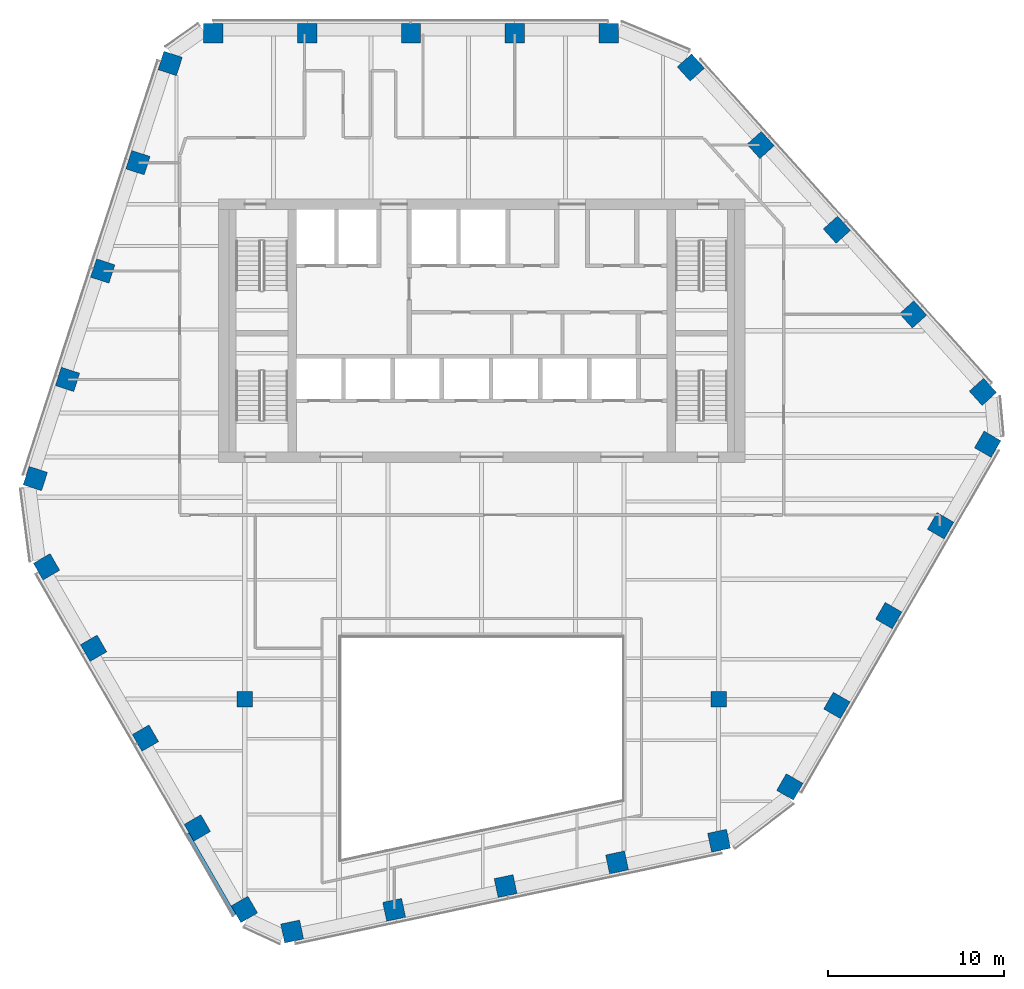
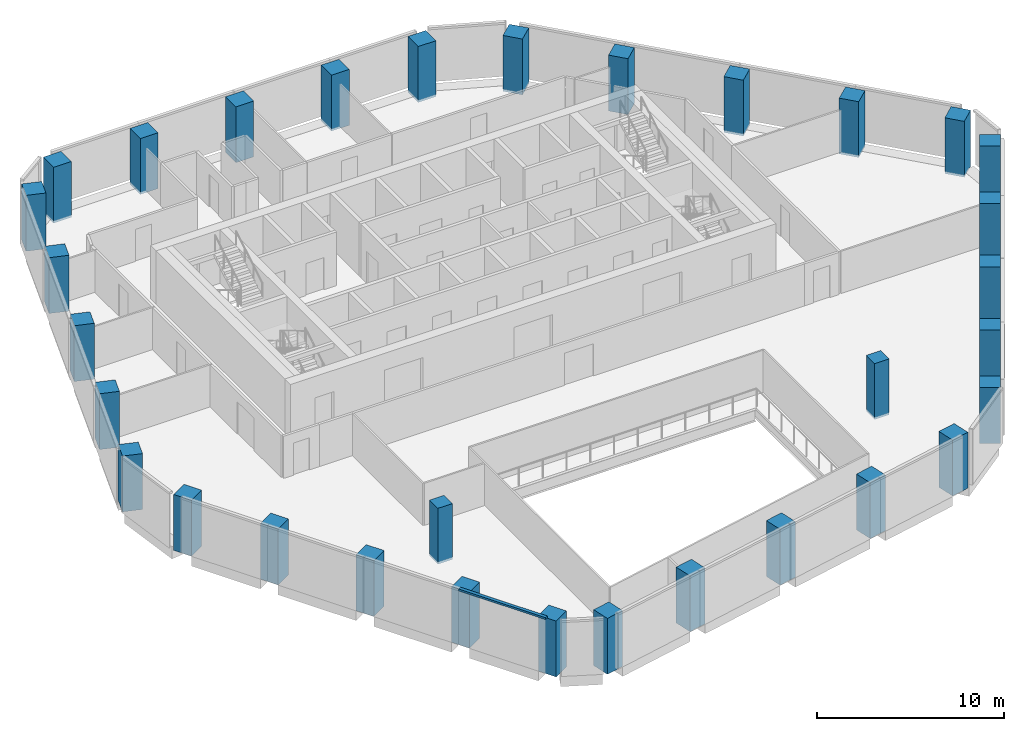
# One storey, part 1 of 15: 32 columns, 1 member, 1 element without a shape of its own.
"""IFC4 building model written with IfcOpenShell, lengths in metres."""

from ifc_helpers import new_model, si_unit, direction, frame, origin, origin_2d, place, context, subcontext, project, spatial, rectangle, extrude, material, layer, layer_set, material_profile, profile_set, type_object, element, aggregate, save


model = new_model("IFC4")

# Units and contexts
model_context = context("Model", 3, precision=1e-05, world=origin(), true_north=direction((0.0, 1.0)))
body_context = subcontext(model_context, "Body", "Model", "MODEL_VIEW")
ifc_project = project(units=[si_unit("LENGTHUNIT", "METRE"), si_unit("AREAUNIT", "SQUARE_METRE"), si_unit("VOLUMEUNIT", "CUBIC_METRE"), si_unit("PLANEANGLEUNIT", "RADIAN"), si_unit("MASSUNIT", "GRAM", prefix="KILO")], contexts=[model_context])

# Site, building, storey
site_placement = place(None, origin())
site = spatial("IfcSite", under=ifc_project, at=site_placement, CompositionType="ELEMENT")
building_placement = place(site_placement, origin())
building = spatial("IfcBuilding", under=site, at=building_placement, Name="Isthmus Gate Tower", CompositionType="ELEMENT")
storey_placement = place(building_placement, frame((0.0, 0.0, 227.25)))
storey = spatial("IfcBuildingStorey", under=building, at=storey_placement, Name="L57", CompositionType="ELEMENT", Elevation=227.25)

# Columns
ifc_material_1 = material(Name="Concrete f'c 50 MPa", Category="concrete")
ifc_material_profile_1 = material_profile(ifc_material_1, rectangle(XDim=0.89990234375, YDim=0.89990234375, at=origin_2d()), Name="RC 900X900")
ifc_profile_set_1 = profile_set([ifc_material_profile_1], Name="Concrete f'c 50 MPa")
column_type_1 = type_object("IfcColumnType", Name="RC INTERIOR COLUMN 900 X 900", PredefinedType="COLUMN", material=ifc_profile_set_1)
for number, where, z_axis, x_axis, name in (
    (1, (-13.5, -13.5, -0.14990234375), (0.0, 0.0, 1.0), (1.0, 0.0, 0.0), "str-icol-L57-ICB2"),
    (2, (13.5, -13.5, -0.14990234375), (0.0, 0.0, 1.0), (1.0, 0.0, 0.0), "str-icol-L57-ICD2"),
):
    element("IfcColumn", number, at=place(storey_placement, frame(where, z_axis=z_axis, x_axis=x_axis)), inside=storey, type_object=column_type_1, Name=name, PredefinedType="COLUMN", context=body_context, shape_type="SweptSolid", body=[
        extrude(rectangle(XDim=0.89990234375, YDim=0.89990234375, at=origin_2d()), origin(), (0.0, 0.0, 1.0), 3.64990234375),
    ])
ifc_material_2 = material(Name="Concrete f'c 50 MPa", Category="concrete")
ifc_material_profile_2 = material_profile(ifc_material_2, rectangle(XDim=1.10009765625, YDim=1.10009765625, at=origin_2d()), Name="RC 1100X1100")
ifc_profile_set_2 = profile_set([ifc_material_profile_2], Name="Concrete f'c 50 MPa")
column_type_2 = type_object("IfcColumnType", Name="RC TUBE COLUMN 1100 X 1100", PredefinedType="COLUMN", material=ifc_profile_set_2)
for number, where, z_axis, x_axis, name in (
    (3, (7.2412109375, 24.449951171875, -0.14990234375), (0.0, 0.0, 1.0), (-1.0, 0.0, 0.0), "str-tcol-L57-T3N0"),
    (4, (1.880615234375, 24.449951171875, -0.14990234375), (0.0, 0.0, 1.0), (-1.0, 0.0, 0.0), "str-tcol-L57-T3N1"),
    (5, (-4.030029296875, 24.449951171875, -0.14990234375), (0.0, 0.0, 1.0), (-1.0, 0.0, 0.0), "str-tcol-L57-T3N2"),
    (6, (-9.940673828125, 24.449951171875, -0.14990234375), (0.0, 0.0, 1.0), (-1.0, 0.0, 0.0), "str-tcol-L57-T3N3"),
    (7, (-15.30126953125, 24.449951171875, -0.14990234375), (0.0, 0.0, 1.0), (-1.0, 0.0, 0.0), "str-tcol-L57-T3N4"),
    (8, (-17.7509765625, 22.721923828125, -0.14990234375), (0.0, 0.0, 1.0), (-0.309016994375, -0.951056516295, 0.0), "str-tcol-L57-T3NW0"),
    (9, (-19.587158203125, 17.07080078125, -0.14990234375), (0.0, 0.0, 1.0), (-0.309016994375, -0.951056516295, 0.0), "str-tcol-L57-T3NW1"),
    (10, (-21.59326171875, 10.896728515625, -0.14990234375), (0.0, 0.0, 1.0), (-0.309016994375, -0.951056516295, 0.0), "str-tcol-L57-T3NW2"),
    (11, (-23.599365234375, 4.72265625, -0.14990234375), (0.0, 0.0, 1.0), (-0.309016994375, -0.951056516295, 0.0), "str-tcol-L57-T3NW3"),
    (12, (-25.435546875, -0.928466796875, -0.14990234375), (0.0, 0.0, 1.0), (-0.309016994375, -0.951056516295, 0.0), "str-tcol-L57-T3NW4"),
    (13, (-24.794921875, -5.9541015625, -0.14990234375), (0.0, 0.0, 1.0), (0.5, -0.866025403784, 0.0), "str-tcol-L57-T3SW0"),
    (14, (-22.114501953125, -10.596435546875, -0.14990234375), (0.0, 0.0, 1.0), (0.5, -0.866025403784, 0.0), "str-tcol-L57-T3SW1"),
    (15, (-19.1591796875, -15.715087890625, -0.14990234375), (0.0, 0.0, 1.0), (0.5, -0.866025403784, 0.0), "str-tcol-L57-T3SW2"),
    (16, (-16.2041015625, -20.833984375, -0.14990234375), (0.0, 0.0, 1.0), (0.5, -0.866025403784, 0.0), "str-tcol-L57-T3SW3"),
    (17, (-13.523681640625, -25.476318359375, -0.14990234375), (0.0, 0.0, 1.0), (0.5, -0.866025403784, 0.0), "str-tcol-L57-T3SW4"),
    (18, (-10.80224609375, -26.73388671875, -0.14990234375), (0.0, 0.0, 1.0), (0.978147600734, 0.207911690818, 0.0), "str-tcol-L57-T3S0"),
    (19, (-4.990234375, -25.498291015625, -0.14990234375), (0.0, 0.0, 1.0), (0.978147600734, 0.207911690818, 0.0), "str-tcol-L57-T3S1"),
    (20, (1.35986328125, -24.148681640625, -0.14990234375), (0.0, 0.0, 1.0), (0.978147600734, 0.207911690818, 0.0), "str-tcol-L57-T3S2"),
    (21, (7.7099609375, -22.798828125, -0.14990234375), (0.0, 0.0, 1.0), (0.978147600734, 0.207911690818, 0.0), "str-tcol-L57-T3S3"),
    (22, (13.52197265625, -21.5634765625, -0.14990234375), (0.0, 0.0, 1.0), (0.978147600734, 0.207911690818, 0.0), "str-tcol-L57-T3S4"),
    (23, (17.5537109375, -18.495849609375, -0.14990234375), (0.0, 0.0, 1.0), (0.5, 0.866025403784, 0.0), "str-tcol-L57-T3SE0"),
    (24, (20.234130859375, -13.853515625, -0.14990234375), (0.0, 0.0, 1.0), (0.5, 0.866025403784, 0.0), "str-tcol-L57-T3SE1"),
    (25, (23.189453125, -8.73486328125, -0.14990234375), (0.0, 0.0, 1.0), (0.5, 0.866025403784, 0.0), "str-tcol-L57-T3SE2"),
    (26, (26.144775390625, -3.6162109375, -0.14990234375), (0.0, 0.0, 1.0), (0.5, 0.866025403784, 0.0), "str-tcol-L57-T3SE3"),
    (27, (28.824951171875, 1.0263671875, -0.14990234375), (0.0, 0.0, 1.0), (0.5, 0.866025403784, 0.0), "str-tcol-L57-T3SE4"),
    (28, (28.55322265625, 4.011962890625, -0.14990234375), (0.0, 0.0, 1.0), (-0.669130606359, 0.743144825477, 0.0), "str-tcol-L57-T3NE0"),
    (29, (24.577392578125, 8.427490234375, -0.14990234375), (0.0, 0.0, 1.0), (-0.669130606359, 0.743144825477, 0.0), "str-tcol-L57-T3NE1"),
    (30, (20.2333984375, 13.251953125, -0.14990234375), (0.0, 0.0, 1.0), (-0.669130606359, 0.743144825477, 0.0), "str-tcol-L57-T3NE2"),
    (31, (15.8896484375, 18.076416015625, -0.14990234375), (0.0, 0.0, 1.0), (-0.669130606359, 0.743144825477, 0.0), "str-tcol-L57-T3NE3"),
    (32, (11.91357421875, 22.4921875, -0.14990234375), (0.0, 0.0, 1.0), (-0.669130606359, 0.743144825477, 0.0), "str-tcol-L57-T3NE4"),
):
    element("IfcColumn", number, at=place(storey_placement, frame(where, z_axis=z_axis, x_axis=x_axis)), inside=storey, type_object=column_type_2, Name=name, PredefinedType="COLUMN", context=body_context, shape_type="SweptSolid", body=[
        extrude(rectangle(XDim=1.10009765625, YDim=1.10009765625, at=origin_2d()), origin(), (0.0, 0.0, 1.0), 3.64990234375),
    ])

# Curtain wall, member
ifc_material_3 = material(Name="Aluminium, pale champagne anodised", Category="aluminium")
ifc_layer = layer(ifc_material_3, 0.199951171875)
ifc_layer_set = layer_set([ifc_layer], Name="CW-1 UNITISED CURTAIN WALL 200 DEEP")
curtain_wall_type = type_object("IfcCurtainWallType", Name="CW-1 UNITISED CURTAIN WALL 200 DEEP", PredefinedType="NOTDEFINED", material=ifc_layer_set)
curtain_wall_placement = place(storey_placement, origin())
curtain_wall = element("IfcCurtainWall", 33, at=curtain_wall_placement, inside=storey, type_object=curtain_wall_type, Name="CW-1 SW L57", PredefinedType="NOTDEFINED")
ifc_material_4 = material(Name="Aluminium, pale champagne anodised", Category="aluminium")
ifc_material_profile_3 = material_profile(ifc_material_4, rectangle(XDim=0.199951171875, YDim=0.1298828125, at=origin_2d()), Name="200x130")
ifc_profile_set_3 = profile_set([ifc_material_profile_3], Name="Aluminium, pale champagne anodised")
member_type = type_object("IfcMemberType", Name="CW-1 TRANSOM 200 X 130", PredefinedType="USERDEFINED", material=ifc_profile_set_3)
member_placement = place(storey_placement, frame((-16.766845703125, -21.158935546875, 3.5849609375), z_axis=(0.499989227444, -0.866031623233, 0.0), x_axis=(0.866031623233, 0.499989227444, 0.0)))
member = element("IfcMember", 34, at=member_placement, type_object=member_type, Name="CW-1 transom", ObjectType="TRANSOM", PredefinedType="USERDEFINED", context=body_context, shape_type="SweptSolid", body=[
    extrude(rectangle(XDim=0.199951171875, YDim=0.1298828125, at=origin_2d()), origin(), (0.0, 0.0, 1.0), 5.3603515625),
])
aggregate(curtain_wall, [member])

save(model, "model.ifc")
